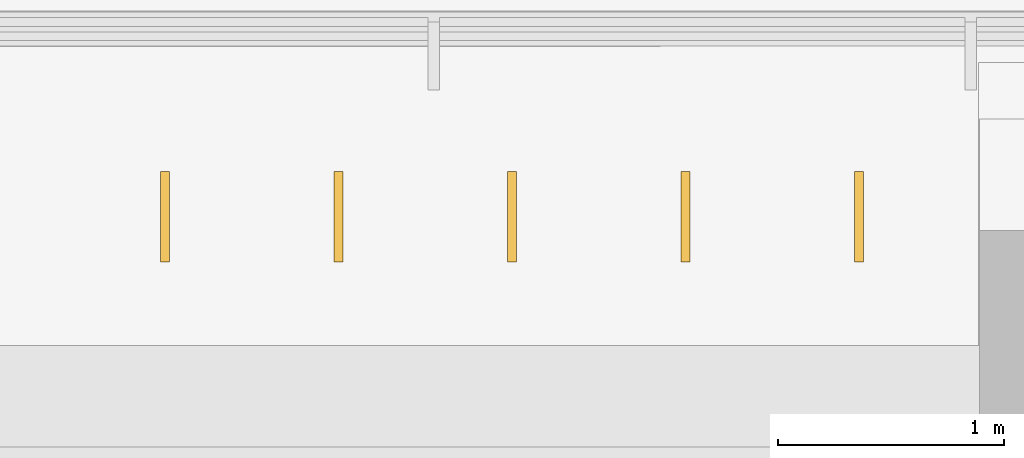
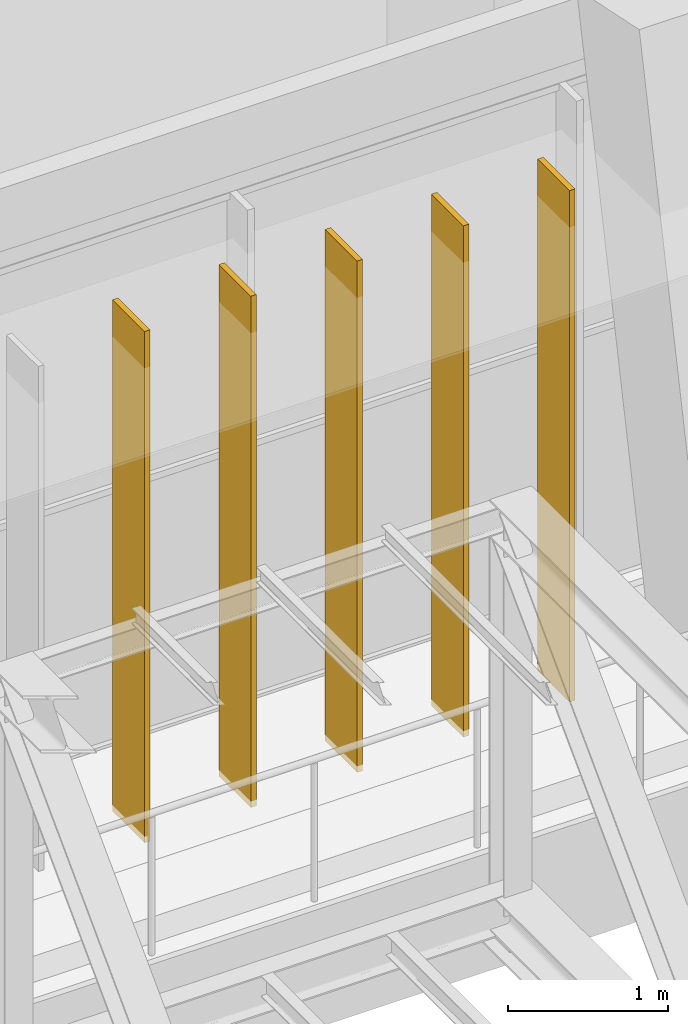
# One storey, part 134 of 141: 5 shading devices.
"""IFC4 building model written with IfcOpenShell, lengths in metres."""

from ifc_helpers import new_model, si_unit, direction, frame, origin, origin_2d, place, context, subcontext, project, spatial, rectangle, extrude, material, layer, layer_set, type_object, element, save


model = new_model("IFC4")

# Units and contexts
model_context = context("Model", 3, precision=1e-05, world=origin(), true_north=direction((0.0, 1.0)))
body_context = subcontext(model_context, "Body", "Model", "MODEL_VIEW")
ifc_project = project(units=[si_unit("LENGTHUNIT", "METRE"), si_unit("AREAUNIT", "SQUARE_METRE"), si_unit("VOLUMEUNIT", "CUBIC_METRE"), si_unit("PLANEANGLEUNIT", "RADIAN"), si_unit("MASSUNIT", "GRAM", prefix="KILO")], contexts=[model_context])

# Site, building, storey
site_placement = place(None, origin())
site = spatial("IfcSite", under=ifc_project, at=site_placement, CompositionType="ELEMENT")
building_placement = place(site_placement, origin())
building = spatial("IfcBuilding", under=site, at=building_placement, Name="Lantern Court Media Centre", CompositionType="ELEMENT")
storey_placement = place(building_placement, frame((0.0, 0.0, 9.60009765625)))
storey = spatial("IfcBuildingStorey", under=building, at=storey_placement, Name="L02", CompositionType="ELEMENT", Elevation=9.60009765625)

# Shading devices
ifc_material = material(Name="Bronze anodised aluminium louvre", Category="aluminium")
ifc_layer = layer(ifc_material, 0.0400390625)
ifc_layer_set = layer_set([ifc_layer], Name="Bronze anodised aluminium louvre")
shading_device_type = type_object("IfcShadingDeviceType", Name="Vertical louvre 40x400 under beam", PredefinedType="USERDEFINED", material=ifc_layer_set)
for number, where, z_axis, x_axis, name in (
    (1, (52.0, 99.320068359375, 0.0), (0.0, 0.0, 1.0), (1.0, 0.0, 0.0), "Vertical louvre N inner L02"),
    (2, (52.7666015625, 99.320068359375, 0.0), (0.0, 0.0, 1.0), (1.0, 0.0, 0.0), "Vertical louvre N inner L02"),
    (3, (53.533447265625, 99.320068359375, 0.0), (0.0, 0.0, 1.0), (1.0, 0.0, 0.0), "Vertical louvre N inner L02"),
    (4, (54.300048828125, 99.320068359375, 0.0), (0.0, 0.0, 1.0), (1.0, 0.0, 0.0), "Vertical louvre N inner L02"),
    (5, (55.066650390625, 99.320068359375, 0.0), (0.0, 0.0, 1.0), (1.0, 0.0, 0.0), "Vertical louvre N inner L02"),
):
    element("IfcShadingDevice", number, at=place(storey_placement, frame(where, z_axis=z_axis, x_axis=x_axis)), inside=storey, type_object=shading_device_type, Name=name, ObjectType="VERTICAL LOUVRE", PredefinedType="USERDEFINED", context=body_context, shape_type="SweptSolid", body=[
        extrude(rectangle(XDim=0.0400390625, YDim=0.39990234375, at=origin_2d()), origin(), (0.0, 0.0, 1.0), 3.89990234375),
    ])

save(model, "model.ifc")
